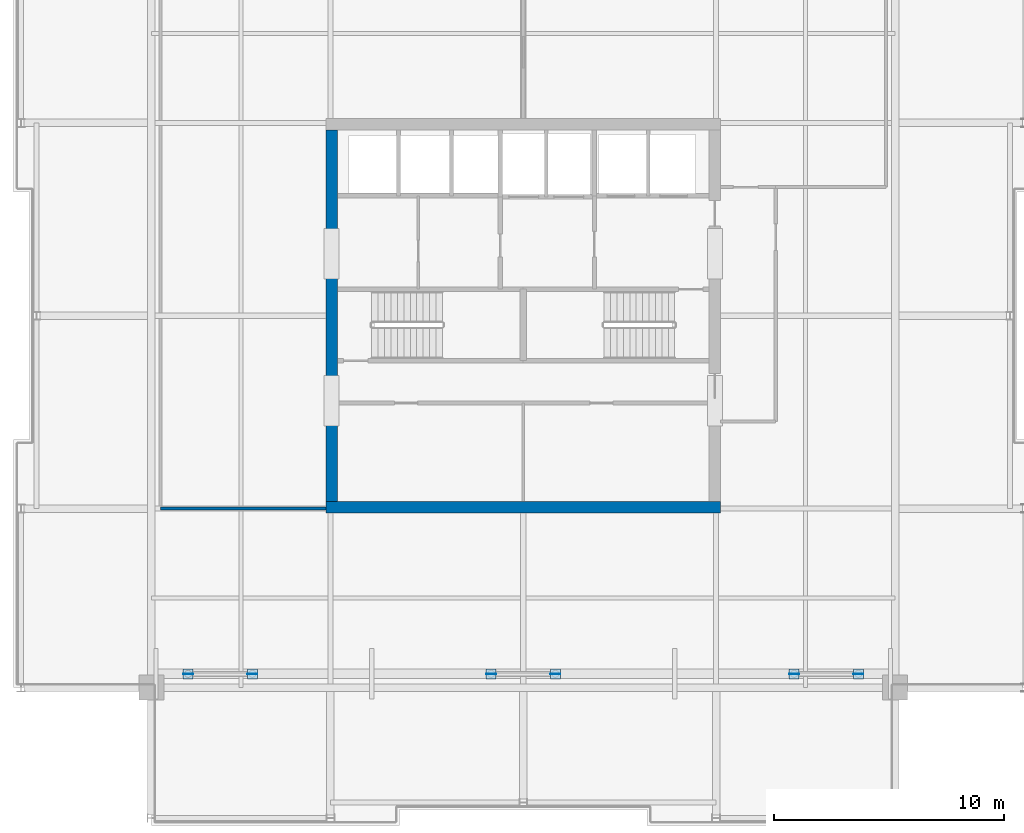
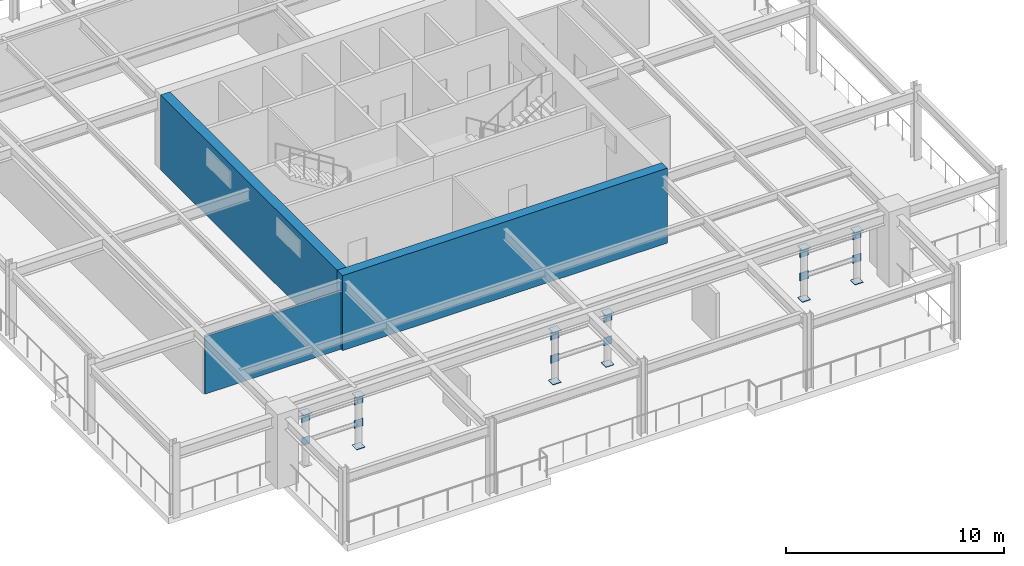
# One storey, part 8 of 13: 23 plates, 3 walls.
"""IFC4 building model written with IfcOpenShell, lengths in metres."""

from ifc_helpers import new_model, si_unit, direction, frame, frame_2d, origin, origin_2d, place, context, subcontext, project, spatial, rectangle, extrude, material, layer, layer_set, type_object, element, save


model = new_model("IFC4")

# Units and contexts
model_context = context("Model", 3, precision=1e-05, world=origin(), true_north=direction((0.0, 1.0)))
body_context = subcontext(model_context, "Body", "Model", "MODEL_VIEW")
ifc_project = project(units=[si_unit("LENGTHUNIT", "METRE"), si_unit("AREAUNIT", "SQUARE_METRE"), si_unit("VOLUMEUNIT", "CUBIC_METRE"), si_unit("PLANEANGLEUNIT", "RADIAN"), si_unit("MASSUNIT", "GRAM", prefix="KILO")], contexts=[model_context])

# Site, building, storey
site_placement = place(None, origin())
site = spatial("IfcSite", under=ifc_project, at=site_placement, CompositionType="ELEMENT")
building_placement = place(site_placement, origin())
building = spatial("IfcBuilding", under=site, at=building_placement, Name="Drelvath Grand Hotel", CompositionType="ELEMENT")
storey_placement = place(building_placement, frame((0.0, 0.0, 303.0)))
storey = spatial("IfcBuildingStorey", under=building, at=storey_placement, Name="L79", CompositionType="ELEMENT", Elevation=303.0)

# Plates
ifc_material_1 = material(Name="Steel ASTM A572 Gr 50", Category="steel")
ifc_layer_1 = layer(ifc_material_1, 0.02490234375)
ifc_layer_set_1 = layer_set([ifc_layer_1], Name="Steel ASTM A572 Gr 50")
plate_type = type_object("IfcPlateType", Name="Hollow Section End Cap Plate 25mm", PredefinedType="SHEET", material=ifc_layer_set_1)
for number, where, z_axis, x_axis, name in (
    (1, (-14.60009765625, 11.39990234375, 1.081787109375), (0.0, 0.0, 1.0), (1.0, 0.0, 0.0), "L79 Wind Turbine Hub Node Plate WT-1-L"),
    (2, (-14.60009765625, 11.39990234375, 2.383544921875), (0.0, 0.0, 1.0), (1.0, 0.0, 0.0), "L79 Wind Turbine Ring Node Plate WT-1-L"),
):
    element("IfcPlate", number, at=place(storey_placement, frame(where, z_axis=z_axis, x_axis=x_axis)), inside=storey, type_object=plate_type, Name=name, PredefinedType="SHEET", context=body_context, shape_type="SweptSolid", body=[
        extrude(rectangle(XDim=0.43994140625, YDim=0.02490234375, at=origin_2d()), origin(), (0.0, 0.0, 1.0), 0.43994140625),
    ])
for number, where, z_axis, x_axis, name in (
    (3, (-14.60009765625, 11.39990234375, 2.89599609375), (0.0, 0.0, 1.0), (1.0, 0.0, 0.0), "L79 Wind Turbine Post Cap WT-1-L"),
    (4, (-11.800048828125, 11.39990234375, 0.00244140625), (0.0, 0.0, 1.0), (1.0, 0.0, 0.0), "L79 Wind Turbine Pedestal Base Plate WT-1-R"),
):
    element("IfcPlate", number, at=place(storey_placement, frame(where, z_axis=z_axis, x_axis=x_axis)), inside=storey, type_object=plate_type, Name=name, PredefinedType="SHEET", context=body_context, shape_type="SweptSolid", body=[
        extrude(rectangle(XDim=0.43994140625, YDim=0.43994140625, at=origin_2d()), origin(), (0.0, 0.0, 1.0), 0.02490234375),
    ])
for number, where, z_axis, x_axis, name in (
    (5, (-11.800048828125, 11.39990234375, 1.081787109375), (0.0, 0.0, 1.0), (1.0, 0.0, 0.0), "L79 Wind Turbine Hub Node Plate WT-1-R"),
    (6, (-11.800048828125, 11.39990234375, 2.383544921875), (0.0, 0.0, 1.0), (1.0, 0.0, 0.0), "L79 Wind Turbine Ring Node Plate WT-1-R"),
):
    element("IfcPlate", number, at=place(storey_placement, frame(where, z_axis=z_axis, x_axis=x_axis)), inside=storey, type_object=plate_type, Name=name, PredefinedType="SHEET", context=body_context, shape_type="SweptSolid", body=[
        extrude(rectangle(XDim=0.43994140625, YDim=0.02490234375, at=origin_2d()), origin(), (0.0, 0.0, 1.0), 0.43994140625),
    ])
for number, where, z_axis, x_axis, name in (
    (7, (-11.800048828125, 11.39990234375, 2.89599609375), (0.0, 0.0, 1.0), (1.0, 0.0, 0.0), "L79 Wind Turbine Post Cap WT-1-R"),
    (8, (-1.39990234375, 11.39990234375, 0.00244140625), (0.0, 0.0, 1.0), (1.0, 0.0, 0.0), "L79 Wind Turbine Pedestal Base Plate WT-2-L"),
):
    element("IfcPlate", number, at=place(storey_placement, frame(where, z_axis=z_axis, x_axis=x_axis)), inside=storey, type_object=plate_type, Name=name, PredefinedType="SHEET", context=body_context, shape_type="SweptSolid", body=[
        extrude(rectangle(XDim=0.43994140625, YDim=0.43994140625, at=origin_2d()), origin(), (0.0, 0.0, 1.0), 0.02490234375),
    ])
for number, where, z_axis, x_axis, name in (
    (9, (-1.39990234375, 11.39990234375, 1.081787109375), (0.0, 0.0, 1.0), (1.0, 0.0, 0.0), "L79 Wind Turbine Hub Node Plate WT-2-L"),
    (10, (-1.39990234375, 11.39990234375, 2.383544921875), (0.0, 0.0, 1.0), (1.0, 0.0, 0.0), "L79 Wind Turbine Ring Node Plate WT-2-L"),
):
    element("IfcPlate", number, at=place(storey_placement, frame(where, z_axis=z_axis, x_axis=x_axis)), inside=storey, type_object=plate_type, Name=name, PredefinedType="SHEET", context=body_context, shape_type="SweptSolid", body=[
        extrude(rectangle(XDim=0.43994140625, YDim=0.02490234375, at=origin_2d()), origin(), (0.0, 0.0, 1.0), 0.43994140625),
    ])
for number, where, z_axis, x_axis, name in (
    (11, (-1.39990234375, 11.39990234375, 2.89599609375), (0.0, 0.0, 1.0), (1.0, 0.0, 0.0), "L79 Wind Turbine Post Cap WT-2-L"),
    (12, (1.39990234375, 11.39990234375, 0.00244140625), (0.0, 0.0, 1.0), (1.0, 0.0, 0.0), "L79 Wind Turbine Pedestal Base Plate WT-2-R"),
):
    element("IfcPlate", number, at=place(storey_placement, frame(where, z_axis=z_axis, x_axis=x_axis)), inside=storey, type_object=plate_type, Name=name, PredefinedType="SHEET", context=body_context, shape_type="SweptSolid", body=[
        extrude(rectangle(XDim=0.43994140625, YDim=0.43994140625, at=origin_2d()), origin(), (0.0, 0.0, 1.0), 0.02490234375),
    ])
for number, where, z_axis, x_axis, name in (
    (13, (1.39990234375, 11.39990234375, 1.081787109375), (0.0, 0.0, 1.0), (1.0, 0.0, 0.0), "L79 Wind Turbine Hub Node Plate WT-2-R"),
    (14, (1.39990234375, 11.39990234375, 2.383544921875), (0.0, 0.0, 1.0), (1.0, 0.0, 0.0), "L79 Wind Turbine Ring Node Plate WT-2-R"),
):
    element("IfcPlate", number, at=place(storey_placement, frame(where, z_axis=z_axis, x_axis=x_axis)), inside=storey, type_object=plate_type, Name=name, PredefinedType="SHEET", context=body_context, shape_type="SweptSolid", body=[
        extrude(rectangle(XDim=0.43994140625, YDim=0.02490234375, at=origin_2d()), origin(), (0.0, 0.0, 1.0), 0.43994140625),
    ])
for number, where, z_axis, x_axis, name in (
    (15, (1.39990234375, 11.39990234375, 2.89599609375), (0.0, 0.0, 1.0), (1.0, 0.0, 0.0), "L79 Wind Turbine Post Cap WT-2-R"),
    (16, (11.800048828125, 11.39990234375, 0.00244140625), (0.0, 0.0, 1.0), (1.0, 0.0, 0.0), "L79 Wind Turbine Pedestal Base Plate WT-3-L"),
):
    element("IfcPlate", number, at=place(storey_placement, frame(where, z_axis=z_axis, x_axis=x_axis)), inside=storey, type_object=plate_type, Name=name, PredefinedType="SHEET", context=body_context, shape_type="SweptSolid", body=[
        extrude(rectangle(XDim=0.43994140625, YDim=0.43994140625, at=origin_2d()), origin(), (0.0, 0.0, 1.0), 0.02490234375),
    ])
for number, where, z_axis, x_axis, name in (
    (17, (11.800048828125, 11.39990234375, 1.081787109375), (0.0, 0.0, 1.0), (1.0, 0.0, 0.0), "L79 Wind Turbine Hub Node Plate WT-3-L"),
    (18, (11.800048828125, 11.39990234375, 2.383544921875), (0.0, 0.0, 1.0), (1.0, 0.0, 0.0), "L79 Wind Turbine Ring Node Plate WT-3-L"),
):
    element("IfcPlate", number, at=place(storey_placement, frame(where, z_axis=z_axis, x_axis=x_axis)), inside=storey, type_object=plate_type, Name=name, PredefinedType="SHEET", context=body_context, shape_type="SweptSolid", body=[
        extrude(rectangle(XDim=0.43994140625, YDim=0.02490234375, at=origin_2d()), origin(), (0.0, 0.0, 1.0), 0.43994140625),
    ])
for number, where, z_axis, x_axis, name in (
    (19, (11.800048828125, 11.39990234375, 2.89599609375), (0.0, 0.0, 1.0), (1.0, 0.0, 0.0), "L79 Wind Turbine Post Cap WT-3-L"),
    (20, (14.60009765625, 11.39990234375, 0.00244140625), (0.0, 0.0, 1.0), (1.0, 0.0, 0.0), "L79 Wind Turbine Pedestal Base Plate WT-3-R"),
):
    element("IfcPlate", number, at=place(storey_placement, frame(where, z_axis=z_axis, x_axis=x_axis)), inside=storey, type_object=plate_type, Name=name, PredefinedType="SHEET", context=body_context, shape_type="SweptSolid", body=[
        extrude(rectangle(XDim=0.43994140625, YDim=0.43994140625, at=origin_2d()), origin(), (0.0, 0.0, 1.0), 0.02490234375),
    ])
for number, where, z_axis, x_axis, name in (
    (21, (14.60009765625, 11.39990234375, 1.081787109375), (0.0, 0.0, 1.0), (1.0, 0.0, 0.0), "L79 Wind Turbine Hub Node Plate WT-3-R"),
    (22, (14.60009765625, 11.39990234375, 2.383544921875), (0.0, 0.0, 1.0), (1.0, 0.0, 0.0), "L79 Wind Turbine Ring Node Plate WT-3-R"),
):
    element("IfcPlate", number, at=place(storey_placement, frame(where, z_axis=z_axis, x_axis=x_axis)), inside=storey, type_object=plate_type, Name=name, PredefinedType="SHEET", context=body_context, shape_type="SweptSolid", body=[
        extrude(rectangle(XDim=0.43994140625, YDim=0.02490234375, at=origin_2d()), origin(), (0.0, 0.0, 1.0), 0.43994140625),
    ])
plate_placement = place(storey_placement, frame((14.60009765625, 11.39990234375, 2.89599609375), z_axis=(0.0, 0.0, 1.0), x_axis=(1.0, 0.0, 0.0)))
element("IfcPlate", 23, at=plate_placement, inside=storey, type_object=plate_type, Name="L79 Wind Turbine Post Cap WT-3-R", PredefinedType="SHEET", context=body_context, shape_type="SweptSolid", body=[
    extrude(rectangle(XDim=0.43994140625, YDim=0.43994140625, at=origin_2d()), origin(), (0.0, 0.0, 1.0), 0.02490234375),
])

# Walls
ifc_material_2 = material(Name="Gypsum Fireboard Partition")
ifc_layer_2 = layer(ifc_material_2, 0.135009765625)
ifc_layer_set_2 = layer_set([ifc_layer_2], Name="Gypsum Fireboard Partition")
wall_type_1 = type_object("IfcWallType", Name="Corridor Fire Barrier Wall 135", PredefinedType="PARTITIONING", material=ifc_layer_set_2)
wall_1_placement = place(storey_placement, frame((-15.800048828125, 18.60009765625, 0.0), z_axis=(0.0, 0.0, 1.0), x_axis=(1.0, 0.0, 0.0)))
element("IfcWall", 24, at=wall_1_placement, inside=storey, type_object=wall_type_1, Name="L79 Turbine Plant SW Wall", PredefinedType="PARTITIONING", context=body_context, shape_type="SweptSolid", body=[
    extrude(rectangle(XDim=7.199951171875, YDim=0.135009765625, at=frame_2d((3.60009765625, 0.0))), origin(), (0.0, 0.0, 1.0), 3.227294921875),
])
ifc_material_3 = material(Name="Concrete f'c 55 MPa", Category="concrete")
ifc_layer_3 = layer(ifc_material_3, 0.5)
ifc_layer_set_3 = layer_set([ifc_layer_3], Name="Concrete f'c 55 MPa")
wall_type_2 = type_object("IfcWallType", Name="Upper Core RC Shear Wall 500", PredefinedType="SHEAR", material=ifc_layer_set_3)
wall_2_placement = place(storey_placement, frame((8.60009765625, 18.64990234375, 0.0), z_axis=(0.0, 0.0, 1.0), x_axis=(-1.0, 0.0, 0.0)))
element("IfcWall", 25, at=wall_2_placement, inside=storey, type_object=wall_type_2, Name="L79 Central Core Shear Wall S", PredefinedType="SHEAR", context=body_context, shape_type="SweptSolid", body=[
    extrude(rectangle(XDim=17.2001953125, YDim=0.5, at=frame_2d((8.60009765625, 0.0))), origin(), (0.0, 0.0, 1.0), 4.199951171875),
])
wall_3_placement = place(storey_placement, frame((-8.35009765625, 18.89990234375, 0.0), z_axis=(0.0, 0.0, 1.0), x_axis=(0.0, 1.0, 0.0)))
element("IfcWall", 26, at=wall_3_placement, inside=storey, type_object=wall_type_2, Name="L79 Central Core Shear Wall W", PredefinedType="SHEAR", context=body_context, shape_type="SweptSolid", body=[
    extrude(rectangle(XDim=16.2001953125, YDim=0.5, at=frame_2d((8.10009765625, 0.0))), origin(), (0.0, 0.0, 1.0), 4.199951171875),
])

save(model, "model.ifc")
